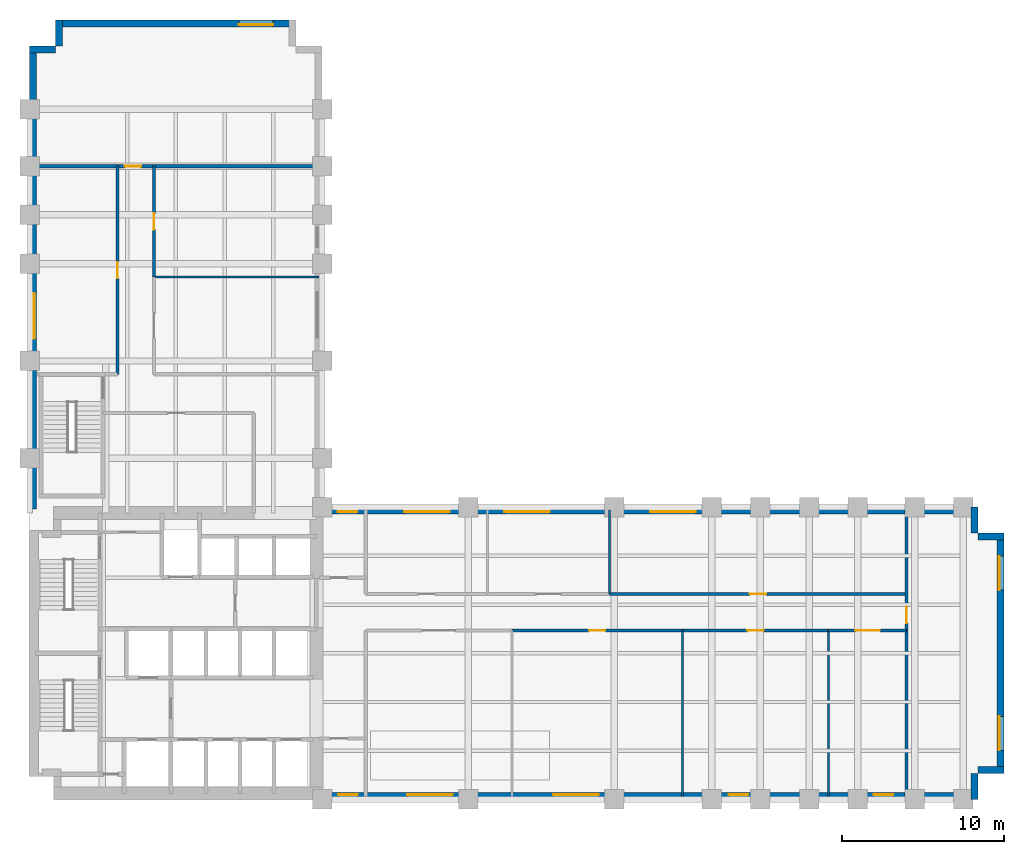
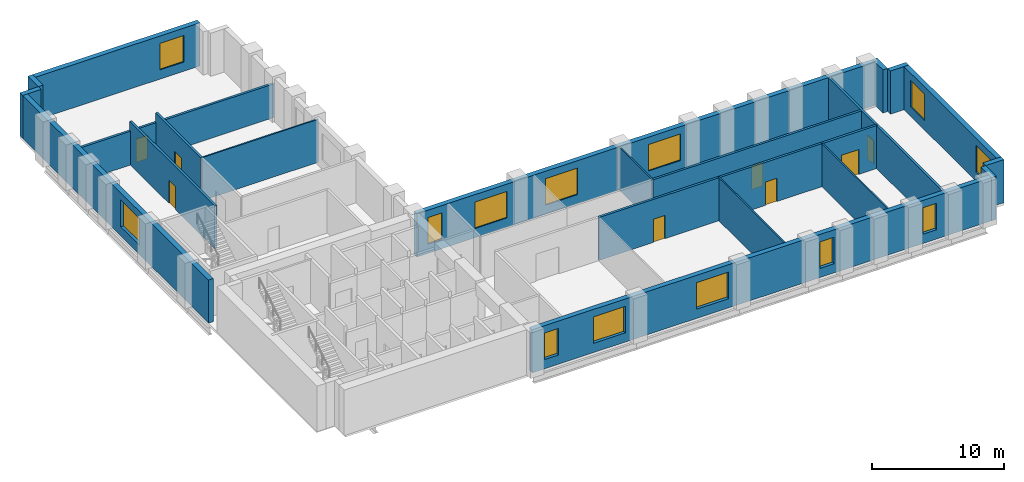
# One storey, part 5 of 7: 23 walls, 13 windows, 8 doors, 21 openings.
"""IFC4 building model written with IfcOpenShell, lengths in metres."""

from ifc_helpers import new_model, si_unit, direction, frame, frame_2d, origin, place, context, subcontext, project, spatial, rectangle, extrude, material, layer, layer_set, type_object, element, fill, save


model = new_model("IFC4")

# Units and contexts
model_context = context("Model", 3, precision=1e-05, world=origin(), true_north=direction((0.0, 1.0)))
body_context = subcontext(model_context, "Body", "Model", "MODEL_VIEW")
ifc_project = project(units=[si_unit("LENGTHUNIT", "METRE"), si_unit("AREAUNIT", "SQUARE_METRE"), si_unit("VOLUMEUNIT", "CUBIC_METRE"), si_unit("PLANEANGLEUNIT", "RADIAN"), si_unit("MASSUNIT", "GRAM", prefix="KILO")], contexts=[model_context])

# Site, building, storey
site_placement = place(None, origin())
site = spatial("IfcSite", under=ifc_project, at=site_placement, CompositionType="ELEMENT")
building_placement = place(site_placement, origin())
building = spatial("IfcBuilding", under=site, at=building_placement, Name="Mawjdan Bourse Tower", CompositionType="ELEMENT")
storey_placement = place(building_placement, frame((0.0, 0.0, 42.60009765625)))
storey = spatial("IfcBuildingStorey", under=building, at=storey_placement, Name="L09", CompositionType="ELEMENT", Elevation=42.60009765625)

# Wall, openings, windows
ifc_material_1 = material(Name="Brick Masonry Buff", Category="masonry")
ifc_layer_1 = layer(ifc_material_1, 0.419921875)
ifc_layer_set_1 = layer_set([ifc_layer_1], Name="Brick Masonry Buff")
wall_type_1 = type_object("IfcWallType", Name="WL-BRK-BUFF-420", PredefinedType="STANDARD", material=ifc_layer_set_1)
wall_1_placement = place(storey_placement, frame((23.89990234375, 3.2099609375, 0.0), z_axis=(0.0, 0.0, 1.0), x_axis=(1.0, 0.0, 0.0)))
wall_1 = element("IfcWall", 1, at=wall_1_placement, inside=storey, type_object=wall_type_1, Name="L09 Exterior Brick Wall 1", PredefinedType="STANDARD", context=body_context, shape_type="SweptSolid", body=[
    extrude(rectangle(XDim=40.5, YDim=0.419921875, at=frame_2d((20.25, 0.0))), origin(), (0.0, 0.0, 1.0), 3.97998046875),
])
opening_1_placement = place(wall_1_placement, frame((1.10009765625, 0.0, 0.85009765625)))
opening_1 = element("IfcOpeningElement", 2, at=opening_1_placement, cuts=wall_1, Name="Opening W-L09-07", PredefinedType="OPENING", context=body_context, shape_type="SweptSolid", body=[
    extrude(rectangle(XDim=1.199951171875, YDim=2.449951171875, at=frame_2d((0.60009765625, 1.22509765625))), frame((0.0, 0.219970703125, 0.0), z_axis=(0.0, -1.0, 0.0), x_axis=(1.0, 0.0, 0.0)), (0.0, 0.0, 1.0), 0.43994140625),
])
opening_2_placement = place(wall_1_placement, frame((5.336181640625, 0.0, 0.85009765625)))
opening_2 = element("IfcOpeningElement", 3, at=opening_2_placement, cuts=wall_1, Name="Opening W-L09-09", PredefinedType="OPENING", context=body_context, shape_type="SweptSolid", body=[
    extrude(rectangle(XDim=2.800048828125, YDim=2.449951171875, at=frame_2d((1.39990234375, 1.22509765625))), frame((0.0, 0.219970703125, 0.0), z_axis=(0.0, -1.0, 0.0), x_axis=(1.0, 0.0, 0.0)), (0.0, 0.0, 1.0), 0.43994140625),
])
opening_3_placement = place(wall_1_placement, frame((14.336181640625, 0.0, 0.85009765625)))
opening_3 = element("IfcOpeningElement", 4, at=opening_3_placement, cuts=wall_1, Name="Opening W-L09-10", PredefinedType="OPENING", context=body_context, shape_type="SweptSolid", body=[
    extrude(rectangle(XDim=2.800048828125, YDim=2.449951171875, at=frame_2d((1.39990234375, 1.22509765625))), frame((0.0, 0.219970703125, 0.0), z_axis=(0.0, -1.0, 0.0), x_axis=(1.0, 0.0, 0.0)), (0.0, 0.0, 1.0), 0.43994140625),
])
opening_4_placement = place(wall_1_placement, frame((25.13623046875, 0.0, 0.85009765625)))
opening_4 = element("IfcOpeningElement", 5, at=opening_4_placement, cuts=wall_1, Name="Opening W-L09-11", PredefinedType="OPENING", context=body_context, shape_type="SweptSolid", body=[
    extrude(rectangle(XDim=1.199951171875, YDim=2.449951171875, at=frame_2d((0.60009765625, 1.22509765625))), frame((0.0, 0.219970703125, 0.0), z_axis=(0.0, -1.0, 0.0), x_axis=(1.0, 0.0, 0.0)), (0.0, 0.0, 1.0), 0.43994140625),
])
opening_5_placement = place(wall_1_placement, frame((34.086181640625, 0.0, 0.85009765625)))
opening_5 = element("IfcOpeningElement", 6, at=opening_5_placement, cuts=wall_1, Name="Opening W-L09-12", PredefinedType="OPENING", context=body_context, shape_type="SweptSolid", body=[
    extrude(rectangle(XDim=1.199951171875, YDim=2.449951171875, at=frame_2d((0.60009765625, 1.22509765625))), frame((0.0, 0.219970703125, 0.0), z_axis=(0.0, -1.0, 0.0), x_axis=(1.0, 0.0, 0.0)), (0.0, 0.0, 1.0), 0.43994140625),
])
ifc_material_2 = material(Name="Solar-Control Clear Double Glazing", Category="glass")
window_type_1 = type_object("IfcWindowType", Name="WN-TRD-1200", PartitioningType="SINGLE_PANEL", PredefinedType="WINDOW", material=ifc_material_2)
window_1_placement = place(opening_1_placement, origin())
window_1 = element("IfcWindow", 7, at=window_1_placement, inside=storey, type_object=window_type_1, Name="L09 Deep-Set Masonry Window W-L09-07", OverallHeight=2.449951171875, OverallWidth=1.199951171875, PartitioningType="SINGLE_PANEL", PredefinedType="WINDOW", context=body_context, shape_type="SweptSolid", body=[
    extrude(rectangle(XDim=1.199951171875, YDim=2.449951171875, at=frame_2d((0.60009765625, 1.22509765625))), frame((0.0, 0.110107421875, 0.0), z_axis=(0.0, -1.0, 0.0), x_axis=(1.0, 0.0, 0.0)), (0.0, 0.0, 1.0), 0.06005859375),
])
fill(opening_1, window_1)
window_2_placement = place(opening_4_placement, origin())
window_2 = element("IfcWindow", 8, at=window_2_placement, inside=storey, type_object=window_type_1, Name="L09 Deep-Set Masonry Window W-L09-11", OverallHeight=2.449951171875, OverallWidth=1.199951171875, PartitioningType="SINGLE_PANEL", PredefinedType="WINDOW", context=body_context, shape_type="SweptSolid", body=[
    extrude(rectangle(XDim=1.199951171875, YDim=2.449951171875, at=frame_2d((0.60009765625, 1.22509765625))), frame((0.0, 0.110107421875, 0.0), z_axis=(0.0, -1.0, 0.0), x_axis=(1.0, 0.0, 0.0)), (0.0, 0.0, 1.0), 0.06005859375),
])
fill(opening_4, window_2)
window_3_placement = place(opening_5_placement, origin())
window_3 = element("IfcWindow", 9, at=window_3_placement, inside=storey, type_object=window_type_1, Name="L09 Deep-Set Masonry Window W-L09-12", OverallHeight=2.449951171875, OverallWidth=1.199951171875, PartitioningType="SINGLE_PANEL", PredefinedType="WINDOW", context=body_context, shape_type="SweptSolid", body=[
    extrude(rectangle(XDim=1.199951171875, YDim=2.449951171875, at=frame_2d((0.60009765625, 1.22509765625))), frame((0.0, 0.110107421875, 0.0), z_axis=(0.0, -1.0, 0.0), x_axis=(1.0, 0.0, 0.0)), (0.0, 0.0, 1.0), 0.06005859375),
])
fill(opening_5, window_3)
window_type_2 = type_object("IfcWindowType", Name="WN-TRD-2800", PartitioningType="SINGLE_PANEL", PredefinedType="WINDOW", material=ifc_material_2)
window_4_placement = place(opening_2_placement, origin())
window_4 = element("IfcWindow", 10, at=window_4_placement, inside=storey, type_object=window_type_2, Name="L09 Deep-Set Masonry Window W-L09-09", OverallHeight=2.449951171875, OverallWidth=2.800048828125, PartitioningType="SINGLE_PANEL", PredefinedType="WINDOW", context=body_context, shape_type="SweptSolid", body=[
    extrude(rectangle(XDim=2.800048828125, YDim=2.449951171875, at=frame_2d((1.39990234375, 1.22509765625))), frame((0.0, 0.110107421875, 0.0), z_axis=(0.0, -1.0, 0.0), x_axis=(1.0, 0.0, 0.0)), (0.0, 0.0, 1.0), 0.06005859375),
])
fill(opening_2, window_4)
window_5_placement = place(opening_3_placement, origin())
window_5 = element("IfcWindow", 11, at=window_5_placement, inside=storey, type_object=window_type_2, Name="L09 Deep-Set Masonry Window W-L09-10", OverallHeight=2.449951171875, OverallWidth=2.800048828125, PartitioningType="SINGLE_PANEL", PredefinedType="WINDOW", context=body_context, shape_type="SweptSolid", body=[
    extrude(rectangle(XDim=2.800048828125, YDim=2.449951171875, at=frame_2d((1.39990234375, 1.22509765625))), frame((0.0, 0.110107421875, 0.0), z_axis=(0.0, -1.0, 0.0), x_axis=(1.0, 0.0, 0.0)), (0.0, 0.0, 1.0), 0.06005859375),
])
fill(opening_3, window_5)

# Walls
for number, where, z_axis, x_axis, name in (
    (12, (64.18994140625, 3.0, 0.0), (0.0, 0.0, 1.0), (0.0, 1.0, 0.0), "L09 Exterior Brick Wall 2"),
    (13, (64.39990234375, 4.81005859375, 0.0), (0.0, 0.0, 1.0), (1.0, 0.0, 0.0), "L09 Exterior Brick Wall 3"),
):
    element("IfcWall", number, at=place(storey_placement, frame(where, z_axis=z_axis, x_axis=x_axis)), inside=storey, type_object=wall_type_1, Name=name, PredefinedType="STANDARD", context=body_context, shape_type="SweptSolid", body=[
        extrude(rectangle(XDim=1.60009765625, YDim=0.419921875, at=frame_2d((0.800048828125, 0.0))), origin(), (0.0, 0.0, 1.0), 3.97998046875),
    ])

# Wall, openings, windows
wall_2_placement = place(storey_placement, frame((65.7900390625, 4.60009765625, 0.0), z_axis=(0.0, 0.0, 1.0), x_axis=(0.0, 1.0, 0.0)))
wall_2 = element("IfcWall", 14, at=wall_2_placement, inside=storey, type_object=wall_type_1, Name="L09 Exterior Brick Wall 4", PredefinedType="STANDARD", context=body_context, shape_type="SweptSolid", body=[
    extrude(rectangle(XDim=14.7998046875, YDim=0.419921875, at=frame_2d((7.39990234375, 0.0))), origin(), (0.0, 0.0, 1.0), 3.97998046875),
])
opening_6_placement = place(wall_2_placement, frame((1.416748046875, 0.0, 0.85009765625)))
opening_6 = element("IfcOpeningElement", 15, at=opening_6_placement, cuts=wall_2, Name="Opening W-L09-01", PredefinedType="OPENING", context=body_context, shape_type="SweptSolid", body=[
    extrude(rectangle(XDim=2.10009765625, YDim=2.449951171875, at=frame_2d((1.050048828125, 1.22509765625))), frame((0.0, 0.219970703125, 0.0), z_axis=(0.0, -1.0, 0.0), x_axis=(1.0, 0.0, 0.0)), (0.0, 0.0, 1.0), 0.43994140625),
])
opening_7_placement = place(wall_2_placement, frame((11.283203125, 0.0, 0.85009765625)))
opening_7 = element("IfcOpeningElement", 16, at=opening_7_placement, cuts=wall_2, Name="Opening W-L09-02", PredefinedType="OPENING", context=body_context, shape_type="SweptSolid", body=[
    extrude(rectangle(XDim=2.10009765625, YDim=2.449951171875, at=frame_2d((1.050048828125, 1.22509765625))), frame((0.0, 0.219970703125, 0.0), z_axis=(0.0, -1.0, 0.0), x_axis=(1.0, 0.0, 0.0)), (0.0, 0.0, 1.0), 0.43994140625),
])
window_type_3 = type_object("IfcWindowType", Name="WN-TRD-2100", PartitioningType="SINGLE_PANEL", PredefinedType="WINDOW", material=ifc_material_2)
window_6_placement = place(opening_6_placement, origin())
window_6 = element("IfcWindow", 17, at=window_6_placement, inside=storey, type_object=window_type_3, Name="L09 Deep-Set Masonry Window W-L09-01", OverallHeight=2.449951171875, OverallWidth=2.10009765625, PartitioningType="SINGLE_PANEL", PredefinedType="WINDOW", context=body_context, shape_type="SweptSolid", body=[
    extrude(rectangle(XDim=2.10009765625, YDim=2.449951171875, at=frame_2d((1.050048828125, 1.22509765625))), frame((0.0, 0.110107421875, 0.0), z_axis=(0.0, -1.0, 0.0), x_axis=(1.0, 0.0, 0.0)), (0.0, 0.0, 1.0), 0.06005859375),
])
fill(opening_6, window_6)
window_7_placement = place(opening_7_placement, origin())
window_7 = element("IfcWindow", 18, at=window_7_placement, inside=storey, type_object=window_type_3, Name="L09 Deep-Set Masonry Window W-L09-02", OverallHeight=2.449951171875, OverallWidth=2.10009765625, PartitioningType="SINGLE_PANEL", PredefinedType="WINDOW", context=body_context, shape_type="SweptSolid", body=[
    extrude(rectangle(XDim=2.10009765625, YDim=2.449951171875, at=frame_2d((1.050048828125, 1.22509765625))), frame((0.0, 0.110107421875, 0.0), z_axis=(0.0, -1.0, 0.0), x_axis=(1.0, 0.0, 0.0)), (0.0, 0.0, 1.0), 0.06005859375),
])
fill(opening_7, window_7)

# Walls
for number, where, z_axis, x_axis, name in (
    (19, (66.0, 19.18994140625, 0.0), (0.0, 0.0, 1.0), (-1.0, 0.0, 0.0), "L09 Exterior Brick Wall 5"),
    (20, (64.18994140625, 19.39990234375, 0.0), (0.0, 0.0, 1.0), (0.0, 1.0, 0.0), "L09 Exterior Brick Wall 6"),
):
    element("IfcWall", number, at=place(storey_placement, frame(where, z_axis=z_axis, x_axis=x_axis)), inside=storey, type_object=wall_type_1, Name=name, PredefinedType="STANDARD", context=body_context, shape_type="SweptSolid", body=[
        extrude(rectangle(XDim=1.60009765625, YDim=0.419921875, at=frame_2d((0.800048828125, 0.0))), origin(), (0.0, 0.0, 1.0), 3.97998046875),
    ])

# Wall, openings, windows
wall_3_placement = place(storey_placement, frame((64.39990234375, 20.7900390625, 0.0), z_axis=(0.0, 0.0, 1.0), x_axis=(-1.0, 0.0, 0.0)))
wall_3 = element("IfcWall", 21, at=wall_3_placement, inside=storey, type_object=wall_type_1, Name="L09 Exterior Brick Wall 7", PredefinedType="STANDARD", context=body_context, shape_type="SweptSolid", body=[
    extrude(rectangle(XDim=40.39990234375, YDim=0.419921875, at=frame_2d((20.199951171875, 0.0))), origin(), (0.0, 0.0, 1.0), 3.97998046875),
])
opening_8_placement = place(wall_3_placement, frame((26.375, 0.0, 0.85009765625)))
opening_8 = element("IfcOpeningElement", 22, at=opening_8_placement, cuts=wall_3, Name="Opening W-L09-03", PredefinedType="OPENING", context=body_context, shape_type="SweptSolid", body=[
    extrude(rectangle(XDim=2.800048828125, YDim=2.449951171875, at=frame_2d((1.39990234375, 1.22509765625))), frame((0.0, 0.219970703125, 0.0), z_axis=(0.0, -1.0, 0.0), x_axis=(1.0, 0.0, 0.0)), (0.0, 0.0, 1.0), 0.43994140625),
])
opening_9_placement = place(wall_3_placement, frame((38.22216796875, 0.0, 0.85009765625)))
opening_9 = element("IfcOpeningElement", 23, at=opening_9_placement, cuts=wall_3, Name="Opening W-L09-08", PredefinedType="OPENING", context=body_context, shape_type="SweptSolid", body=[
    extrude(rectangle(XDim=1.199951171875, YDim=2.449951171875, at=frame_2d((0.60009765625, 1.22509765625))), frame((0.0, 0.219970703125, 0.0), z_axis=(0.0, -1.0, 0.0), x_axis=(1.0, 0.0, 0.0)), (0.0, 0.0, 1.0), 0.43994140625),
])
opening_10_placement = place(wall_3_placement, frame((32.5361328125, 0.0, 0.85009765625)))
opening_10 = element("IfcOpeningElement", 24, at=opening_10_placement, cuts=wall_3, Name="Opening W-L09-13", PredefinedType="OPENING", context=body_context, shape_type="SweptSolid", body=[
    extrude(rectangle(XDim=2.800048828125, YDim=2.449951171875, at=frame_2d((1.39990234375, 1.22509765625))), frame((0.0, 0.219970703125, 0.0), z_axis=(0.0, -1.0, 0.0), x_axis=(1.0, 0.0, 0.0)), (0.0, 0.0, 1.0), 0.43994140625),
])
opening_11_placement = place(wall_3_placement, frame((17.38623046875, 0.0, 0.85009765625)))
opening_11 = element("IfcOpeningElement", 25, at=opening_11_placement, cuts=wall_3, Name="Opening W-L09-14", PredefinedType="OPENING", context=body_context, shape_type="SweptSolid", body=[
    extrude(rectangle(XDim=2.800048828125, YDim=2.449951171875, at=frame_2d((1.39990234375, 1.22509765625))), frame((0.0, 0.219970703125, 0.0), z_axis=(0.0, -1.0, 0.0), x_axis=(1.0, 0.0, 0.0)), (0.0, 0.0, 1.0), 0.43994140625),
])
window_8_placement = place(opening_9_placement, origin())
window_8 = element("IfcWindow", 26, at=window_8_placement, inside=storey, type_object=window_type_1, Name="L09 Deep-Set Masonry Window W-L09-08", OverallHeight=2.449951171875, OverallWidth=1.199951171875, PartitioningType="SINGLE_PANEL", PredefinedType="WINDOW", context=body_context, shape_type="SweptSolid", body=[
    extrude(rectangle(XDim=1.199951171875, YDim=2.449951171875, at=frame_2d((0.60009765625, 1.22509765625))), frame((0.0, 0.110107421875, 0.0), z_axis=(0.0, -1.0, 0.0), x_axis=(1.0, 0.0, 0.0)), (0.0, 0.0, 1.0), 0.06005859375),
])
fill(opening_9, window_8)
window_9_placement = place(opening_8_placement, origin())
window_9 = element("IfcWindow", 27, at=window_9_placement, inside=storey, type_object=window_type_2, Name="L09 Deep-Set Masonry Window W-L09-03", OverallHeight=2.449951171875, OverallWidth=2.800048828125, PartitioningType="SINGLE_PANEL", PredefinedType="WINDOW", context=body_context, shape_type="SweptSolid", body=[
    extrude(rectangle(XDim=2.800048828125, YDim=2.449951171875, at=frame_2d((1.39990234375, 1.22509765625))), frame((0.0, 0.110107421875, 0.0), z_axis=(0.0, -1.0, 0.0), x_axis=(1.0, 0.0, 0.0)), (0.0, 0.0, 1.0), 0.06005859375),
])
fill(opening_8, window_9)
window_10_placement = place(opening_10_placement, origin())
window_10 = element("IfcWindow", 28, at=window_10_placement, inside=storey, type_object=window_type_2, Name="L09 Deep-Set Masonry Window W-L09-13", OverallHeight=2.449951171875, OverallWidth=2.800048828125, PartitioningType="SINGLE_PANEL", PredefinedType="WINDOW", context=body_context, shape_type="SweptSolid", body=[
    extrude(rectangle(XDim=2.800048828125, YDim=2.449951171875, at=frame_2d((1.39990234375, 1.22509765625))), frame((0.0, 0.110107421875, 0.0), z_axis=(0.0, -1.0, 0.0), x_axis=(1.0, 0.0, 0.0)), (0.0, 0.0, 1.0), 0.06005859375),
])
fill(opening_10, window_10)
window_11_placement = place(opening_11_placement, origin())
window_11 = element("IfcWindow", 29, at=window_11_placement, inside=storey, type_object=window_type_2, Name="L09 Deep-Set Masonry Window W-L09-14", OverallHeight=2.449951171875, OverallWidth=2.800048828125, PartitioningType="SINGLE_PANEL", PredefinedType="WINDOW", context=body_context, shape_type="SweptSolid", body=[
    extrude(rectangle(XDim=2.800048828125, YDim=2.449951171875, at=frame_2d((1.39990234375, 1.22509765625))), frame((0.0, 0.110107421875, 0.0), z_axis=(0.0, -1.0, 0.0), x_axis=(1.0, 0.0, 0.0)), (0.0, 0.0, 1.0), 0.06005859375),
])
fill(opening_11, window_11)

# Wall, opening, window
wall_4_placement = place(storey_placement, frame((22.39990234375, 50.7900390625, 0.0), z_axis=(0.0, 0.0, 1.0), x_axis=(-1.0, 0.0, 0.0)))
wall_4 = element("IfcWall", 30, at=wall_4_placement, inside=storey, type_object=wall_type_1, Name="L09 Exterior Brick Wall 11", PredefinedType="STANDARD", context=body_context, shape_type="SweptSolid", body=[
    extrude(rectangle(XDim=14.7998046875, YDim=0.419921875, at=frame_2d((7.39990234375, 0.0))), origin(), (0.0, 0.0, 1.0), 3.97998046875),
])
opening_12_placement = place(wall_4_placement, frame((1.416748046875, 0.0, 0.85009765625)))
opening_12 = element("IfcOpeningElement", 31, at=opening_12_placement, cuts=wall_4, Name="Opening W-L09-05", PredefinedType="OPENING", context=body_context, shape_type="SweptSolid", body=[
    extrude(rectangle(XDim=2.10009765625, YDim=2.449951171875, at=frame_2d((1.050048828125, 1.22509765625))), frame((0.0, 0.219970703125, 0.0), z_axis=(0.0, -1.0, 0.0), x_axis=(1.0, 0.0, 0.0)), (0.0, 0.0, 1.0), 0.43994140625),
])
window_12_placement = place(opening_12_placement, origin())
window_12 = element("IfcWindow", 32, at=window_12_placement, inside=storey, type_object=window_type_3, Name="L09 Deep-Set Masonry Window W-L09-05", OverallHeight=2.449951171875, OverallWidth=2.10009765625, PartitioningType="SINGLE_PANEL", PredefinedType="WINDOW", context=body_context, shape_type="SweptSolid", body=[
    extrude(rectangle(XDim=2.10009765625, YDim=2.449951171875, at=frame_2d((1.050048828125, 1.22509765625))), frame((0.0, 0.110107421875, 0.0), z_axis=(0.0, -1.0, 0.0), x_axis=(1.0, 0.0, 0.0)), (0.0, 0.0, 1.0), 0.06005859375),
])
fill(opening_12, window_12)

# Walls
for number, where, z_axis, x_axis, name in (
    (33, (7.81005859375, 51.0, 0.0), (0.0, 0.0, 1.0), (0.0, -1.0, 0.0), "L09 Exterior Brick Wall 12"),
    (34, (7.60009765625, 49.18994140625, 0.0), (0.0, 0.0, 1.0), (-1.0, 0.0, 0.0), "L09 Exterior Brick Wall 13"),
):
    element("IfcWall", number, at=place(storey_placement, frame(where, z_axis=z_axis, x_axis=x_axis)), inside=storey, type_object=wall_type_1, Name=name, PredefinedType="STANDARD", context=body_context, shape_type="SweptSolid", body=[
        extrude(rectangle(XDim=1.60009765625, YDim=0.419921875, at=frame_2d((0.800048828125, 0.0))), origin(), (0.0, 0.0, 1.0), 3.97998046875),
    ])

# Wall, opening, window
wall_5_placement = place(storey_placement, frame((6.2099609375, 49.39990234375, 0.0), z_axis=(0.0, 0.0, 1.0), x_axis=(0.0, -1.0, 0.0)))
wall_5 = element("IfcWall", 35, at=wall_5_placement, inside=storey, type_object=wall_type_1, Name="L09 Exterior Brick Wall 14", PredefinedType="STANDARD", context=body_context, shape_type="SweptSolid", body=[
    extrude(rectangle(XDim=28.5, YDim=0.419921875, at=frame_2d((14.25, 0.0))), origin(), (0.0, 0.0, 1.0), 3.97998046875),
])
opening_13_placement = place(wall_5_placement, frame((15.22509765625, 0.0, 0.85009765625)))
opening_13 = element("IfcOpeningElement", 36, at=opening_13_placement, cuts=wall_5, Name="Opening W-L09-06", PredefinedType="OPENING", context=body_context, shape_type="SweptSolid", body=[
    extrude(rectangle(XDim=2.800048828125, YDim=2.449951171875, at=frame_2d((1.39990234375, 1.22509765625))), frame((0.0, 0.219970703125, 0.0), z_axis=(0.0, -1.0, 0.0), x_axis=(1.0, 0.0, 0.0)), (0.0, 0.0, 1.0), 0.43994140625),
])
window_13_placement = place(opening_13_placement, origin())
window_13 = element("IfcWindow", 37, at=window_13_placement, inside=storey, type_object=window_type_2, Name="L09 Deep-Set Masonry Window W-L09-06", OverallHeight=2.449951171875, OverallWidth=2.800048828125, PartitioningType="SINGLE_PANEL", PredefinedType="WINDOW", context=body_context, shape_type="SweptSolid", body=[
    extrude(rectangle(XDim=2.800048828125, YDim=2.449951171875, at=frame_2d((1.39990234375, 1.22509765625))), frame((0.0, 0.110107421875, 0.0), z_axis=(0.0, -1.0, 0.0), x_axis=(1.0, 0.0, 0.0)), (0.0, 0.0, 1.0), 0.06005859375),
])
fill(opening_13, window_13)

# Wall, opening, door
ifc_material_3 = material(Name="Gypsum Fireboard Assembly")
ifc_layer_2 = layer(ifc_material_3, 0.199951171875)
ifc_layer_set_2 = layer_set([ifc_layer_2], Name="Gypsum Fireboard Assembly")
wall_type_2 = type_object("IfcWallType", Name="WL-CMP-200", PredefinedType="PARTITIONING", material=ifc_layer_set_2)
wall_6_placement = place(storey_placement, frame((35.699951171875, 13.39990234375, 0.0), z_axis=(0.0, 0.0, 1.0), x_axis=(1.0, 0.0, 0.0)))
wall_6 = element("IfcWall", 38, at=wall_6_placement, inside=storey, type_object=wall_type_2, Name="L09 Equities Research Library Corridor Wall", PredefinedType="PARTITIONING", context=body_context, shape_type="SweptSolid", body=[
    extrude(rectangle(XDim=10.5, YDim=0.199951171875, at=frame_2d((5.25, 0.0))), origin(), (0.0, 0.0, 1.0), 3.969970703125),
])
opening_14_placement = place(wall_6_placement, frame((4.75, 0.0, 0.0)))
opening_14 = element("IfcOpeningElement", 39, at=opening_14_placement, cuts=wall_6, Name="Opening D-L09-20", PredefinedType="OPENING", context=body_context, shape_type="SweptSolid", body=[
    extrude(rectangle(XDim=1.0, YDim=2.14990234375, at=frame_2d((0.5, 1.074951171875))), frame((0.0, 0.10986328125, 0.0), z_axis=(0.0, -1.0, 0.0), x_axis=(1.0, 0.0, 0.0)), (0.0, 0.0, 1.0), 0.219970703125),
])
ifc_material_4 = material(Name="Hardwood Acoustic Leaf", Category="wood")
door_type_1 = type_object("IfcDoorType", Name="DR-OFC-1000", OperationType="NOTDEFINED", PredefinedType="DOOR", material=ifc_material_4)
door_1_placement = place(opening_14_placement, origin())
door_1 = element("IfcDoor", 40, at=door_1_placement, inside=storey, type_object=door_type_1, Name="L09 Equities Research Library Door D-L09-20", OperationType="SINGLE_SWING_LEFT", OverallHeight=2.14990234375, OverallWidth=1.0, PredefinedType="DOOR", context=body_context, shape_type="SweptSolid", body=[
    extrude(rectangle(XDim=1.0, YDim=2.14990234375, at=frame_2d((0.5, 1.074951171875))), frame((0.0, 0.02490234375, 0.0), z_axis=(0.0, -1.0, 0.0), x_axis=(1.0, 0.0, 0.0)), (0.0, 0.0, 1.0), 0.050048828125),
])
fill(opening_14, door_1)

wall_7_placement = place(storey_placement, frame((46.199951171875, 13.39990234375, 0.0), z_axis=(0.0, 0.0, 1.0), x_axis=(1.0, 0.0, 0.0)))
wall_7 = element("IfcWall", 41, at=wall_7_placement, inside=storey, type_object=wall_type_2, Name="L09 Brokerage Suite Corridor Wall", PredefinedType="PARTITIONING", context=body_context, shape_type="SweptSolid", body=[
    extrude(rectangle(XDim=9.0, YDim=0.199951171875, at=frame_2d((4.5, 0.0))), origin(), (0.0, 0.0, 1.0), 3.969970703125),
])
opening_15_placement = place(wall_7_placement, frame((4.0, 0.0, 0.0)))
opening_15 = element("IfcOpeningElement", 42, at=opening_15_placement, cuts=wall_7, Name="Opening D-L09-21", PredefinedType="OPENING", context=body_context, shape_type="SweptSolid", body=[
    extrude(rectangle(XDim=1.0, YDim=2.14990234375, at=frame_2d((0.5, 1.074951171875))), frame((0.0, 0.10986328125, 0.0), z_axis=(0.0, -1.0, 0.0), x_axis=(1.0, 0.0, 0.0)), (0.0, 0.0, 1.0), 0.219970703125),
])
door_2_placement = place(opening_15_placement, origin())
door_2 = element("IfcDoor", 43, at=door_2_placement, inside=storey, type_object=door_type_1, Name="L09 Brokerage Suite Door D-L09-21", OperationType="SINGLE_SWING_RIGHT", OverallHeight=2.14990234375, OverallWidth=1.0, PredefinedType="DOOR", context=body_context, shape_type="SweptSolid", body=[
    extrude(rectangle(XDim=1.0, YDim=2.14990234375, at=frame_2d((0.5, 1.074951171875))), frame((0.0, 0.02490234375, 0.0), z_axis=(0.0, -1.0, 0.0), x_axis=(1.0, 0.0, 0.0)), (0.0, 0.0, 1.0), 0.050048828125),
])
fill(opening_15, door_2)

wall_8_placement = place(storey_placement, frame((55.199951171875, 13.39990234375, 0.0), z_axis=(0.0, 0.0, 1.0), x_axis=(1.0, 0.0, 0.0)))
wall_8 = element("IfcWall", 44, at=wall_8_placement, inside=storey, type_object=wall_type_2, Name="L09 Conference Room Corridor Wall", PredefinedType="PARTITIONING", context=body_context, shape_type="SweptSolid", body=[
    extrude(rectangle(XDim=4.800048828125, YDim=0.199951171875, at=frame_2d((2.39990234375, 0.0))), origin(), (0.0, 0.0, 1.0), 3.969970703125),
])
opening_16_placement = place(wall_8_placement, frame((1.64990234375, 0.0, 0.0)))
opening_16 = element("IfcOpeningElement", 45, at=opening_16_placement, cuts=wall_8, Name="Opening D-L09-22", PredefinedType="OPENING", context=body_context, shape_type="SweptSolid", body=[
    extrude(rectangle(XDim=1.5, YDim=2.300048828125, at=frame_2d((0.75, 1.14990234375))), frame((0.0, 0.10986328125, 0.0), z_axis=(0.0, -1.0, 0.0), x_axis=(1.0, 0.0, 0.0)), (0.0, 0.0, 1.0), 0.219970703125),
])
ifc_material_5 = material(Name="Acoustic Glazed Timber", Category="wood")
door_type_2 = type_object("IfcDoorType", Name="DR-CNF-1500", OperationType="DOUBLE_DOOR_SINGLE_SWING", PredefinedType="DOOR", material=ifc_material_5)
door_3_placement = place(opening_16_placement, origin())
door_3 = element("IfcDoor", 46, at=door_3_placement, inside=storey, type_object=door_type_2, Name="L09 Conference Room Door D-L09-22", OperationType="DOUBLE_DOOR_SINGLE_SWING", OverallHeight=2.300048828125, OverallWidth=1.5, PredefinedType="DOOR", context=body_context, shape_type="SweptSolid", body=[
    extrude(rectangle(XDim=1.5, YDim=2.300048828125, at=frame_2d((0.75, 1.14990234375))), frame((0.0, 0.02490234375, 0.0), z_axis=(0.0, -1.0, 0.0), x_axis=(1.0, 0.0, 0.0)), (0.0, 0.0, 1.0), 0.050048828125),
])
fill(opening_16, door_3)

wall_9_placement = place(storey_placement, frame((41.699951171875, 15.64990234375, 0.0), z_axis=(0.0, 0.0, 1.0), x_axis=(1.0, 0.0, 0.0)))
wall_9 = element("IfcWall", 47, at=wall_9_placement, inside=storey, type_object=wall_type_2, Name="L09 Executive Office Corridor Wall", PredefinedType="PARTITIONING", context=body_context, shape_type="SweptSolid", body=[
    extrude(rectangle(XDim=18.300048828125, YDim=0.199951171875, at=frame_2d((9.14990234375, 0.0))), origin(), (0.0, 0.0, 1.0), 3.969970703125),
])
opening_17_placement = place(wall_9_placement, frame((8.64990234375, 0.0, 0.0)))
opening_17 = element("IfcOpeningElement", 48, at=opening_17_placement, cuts=wall_9, Name="Opening D-L09-25", PredefinedType="OPENING", context=body_context, shape_type="SweptSolid", body=[
    extrude(rectangle(XDim=1.0, YDim=2.14990234375, at=frame_2d((0.5, 1.074951171875))), frame((0.0, 0.10986328125, 0.0), z_axis=(0.0, -1.0, 0.0), x_axis=(1.0, 0.0, 0.0)), (0.0, 0.0, 1.0), 0.219970703125),
])
door_4_placement = place(opening_17_placement, origin())
door_4 = element("IfcDoor", 49, at=door_4_placement, inside=storey, type_object=door_type_1, Name="L09 Executive Office Door D-L09-25", OperationType="SINGLE_SWING_RIGHT", OverallHeight=2.14990234375, OverallWidth=1.0, PredefinedType="DOOR", context=body_context, shape_type="SweptSolid", body=[
    extrude(rectangle(XDim=1.0, YDim=2.14990234375, at=frame_2d((0.5, 1.074951171875))), frame((0.0, 0.02490234375, 0.0), z_axis=(0.0, -1.0, 0.0), x_axis=(1.0, 0.0, 0.0)), (0.0, 0.0, 1.0), 0.050048828125),
])
fill(opening_17, door_4)

wall_10_placement = place(storey_placement, frame((60.0, 3.179931640625, 0.0), z_axis=(0.0, 0.0, 1.0), x_axis=(0.0, 1.0, 0.0)))
wall_10 = element("IfcWall", 50, at=wall_10_placement, inside=storey, type_object=wall_type_2, Name="L09 East Tip Full Cross Wall", PredefinedType="PARTITIONING", context=body_context, shape_type="SweptSolid", body=[
    extrude(rectangle(XDim=17.64013671875, YDim=0.199951171875, at=frame_2d((8.820068359375, 0.0))), origin(), (0.0, 0.0, 1.0), 3.969970703125),
])
opening_18_placement = place(wall_10_placement, frame((10.675048828125, 0.0, 0.0)))
opening_18 = element("IfcOpeningElement", 51, at=opening_18_placement, cuts=wall_10, Name="Opening D-L09-26", PredefinedType="OPENING", context=body_context, shape_type="SweptSolid", body=[
    extrude(rectangle(XDim=1.0, YDim=2.14990234375, at=frame_2d((0.5, 1.074951171875))), frame((0.0, 0.10986328125, 0.0), z_axis=(0.0, -1.0, 0.0), x_axis=(1.0, 0.0, 0.0)), (0.0, 0.0, 1.0), 0.219970703125),
])
door_5_placement = place(opening_18_placement, origin())
door_5 = element("IfcDoor", 52, at=door_5_placement, inside=storey, type_object=door_type_1, Name="L09 East Tip Hall Door D-L09-26", OperationType="SINGLE_SWING_LEFT", OverallHeight=2.14990234375, OverallWidth=1.0, PredefinedType="DOOR", context=body_context, shape_type="SweptSolid", body=[
    extrude(rectangle(XDim=1.0, YDim=2.14990234375, at=frame_2d((0.5, 1.074951171875))), frame((0.0, 0.02490234375, 0.0), z_axis=(0.0, -1.0, 0.0), x_axis=(1.0, 0.0, 0.0)), (0.0, 0.0, 1.0), 0.050048828125),
])
fill(opening_18, door_5)

wall_11_placement = place(storey_placement, frame((11.39990234375, 29.179931640625, 0.0), z_axis=(0.0, 0.0, 1.0), x_axis=(0.0, 1.0, 0.0)))
wall_11 = element("IfcWall", 53, at=wall_11_placement, inside=storey, type_object=wall_type_2, Name="L09 Equities Research Library Corridor Wall", PredefinedType="PARTITIONING", context=body_context, shape_type="SweptSolid", body=[
    extrude(rectangle(XDim=12.820068359375, YDim=0.199951171875, at=frame_2d((6.41015625, 0.0))), origin(), (0.0, 0.0, 1.0), 3.969970703125),
])
opening_19_placement = place(wall_11_placement, frame((5.909912109375, 0.0, 0.0)))
opening_19 = element("IfcOpeningElement", 54, at=opening_19_placement, cuts=wall_11, Name="Opening D-L09-28", PredefinedType="OPENING", context=body_context, shape_type="SweptSolid", body=[
    extrude(rectangle(XDim=1.0, YDim=2.14990234375, at=frame_2d((0.5, 1.074951171875))), frame((0.0, 0.10986328125, 0.0), z_axis=(0.0, -1.0, 0.0), x_axis=(1.0, 0.0, 0.0)), (0.0, 0.0, 1.0), 0.219970703125),
])
door_6_placement = place(opening_19_placement, origin())
door_6 = element("IfcDoor", 55, at=door_6_placement, inside=storey, type_object=door_type_1, Name="L09 Equities Research Library Door D-L09-28", OperationType="SINGLE_SWING_LEFT", OverallHeight=2.14990234375, OverallWidth=1.0, PredefinedType="DOOR", context=body_context, shape_type="SweptSolid", body=[
    extrude(rectangle(XDim=1.0, YDim=2.14990234375, at=frame_2d((0.5, 1.074951171875))), frame((0.0, 0.02490234375, 0.0), z_axis=(0.0, -1.0, 0.0), x_axis=(1.0, 0.0, 0.0)), (0.0, 0.0, 1.0), 0.050048828125),
])
fill(opening_19, door_6)

wall_12_placement = place(storey_placement, frame((13.64990234375, 35.179931640625, 0.0), z_axis=(0.0, 0.0, 1.0), x_axis=(0.0, 1.0, 0.0)))
wall_12 = element("IfcWall", 56, at=wall_12_placement, inside=storey, type_object=wall_type_2, Name="L09 Executive Office Corridor Wall", PredefinedType="PARTITIONING", context=body_context, shape_type="SweptSolid", body=[
    extrude(rectangle(XDim=6.820068359375, YDim=0.199951171875, at=frame_2d((3.41015625, 0.0))), origin(), (0.0, 0.0, 1.0), 3.969970703125),
])
opening_20_placement = place(wall_12_placement, frame((2.909912109375, 0.0, 0.0)))
opening_20 = element("IfcOpeningElement", 57, at=opening_20_placement, cuts=wall_12, Name="Opening D-L09-30", PredefinedType="OPENING", context=body_context, shape_type="SweptSolid", body=[
    extrude(rectangle(XDim=1.0, YDim=2.14990234375, at=frame_2d((0.5, 1.074951171875))), frame((0.0, 0.10986328125, 0.0), z_axis=(0.0, -1.0, 0.0), x_axis=(1.0, 0.0, 0.0)), (0.0, 0.0, 1.0), 0.219970703125),
])
door_7_placement = place(opening_20_placement, origin())
door_7 = element("IfcDoor", 58, at=door_7_placement, inside=storey, type_object=door_type_1, Name="L09 Executive Office Door D-L09-30", OperationType="SINGLE_SWING_RIGHT", OverallHeight=2.14990234375, OverallWidth=1.0, PredefinedType="DOOR", context=body_context, shape_type="SweptSolid", body=[
    extrude(rectangle(XDim=1.0, YDim=2.14990234375, at=frame_2d((0.5, 1.074951171875))), frame((0.0, 0.02490234375, 0.0), z_axis=(0.0, -1.0, 0.0), x_axis=(1.0, 0.0, 0.0)), (0.0, 0.0, 1.0), 0.050048828125),
])
fill(opening_20, door_7)

wall_13_placement = place(storey_placement, frame((6.179931640625, 42.0, 0.0), z_axis=(0.0, 0.0, 1.0), x_axis=(1.0, 0.0, 0.0)))
wall_13 = element("IfcWall", 59, at=wall_13_placement, inside=storey, type_object=wall_type_2, Name="L09 North Tip Full Cross Wall", PredefinedType="PARTITIONING", context=body_context, shape_type="SweptSolid", body=[
    extrude(rectangle(XDim=17.64013671875, YDim=0.199951171875, at=frame_2d((8.820068359375, 0.0))), origin(), (0.0, 0.0, 1.0), 3.114013671875),
])
opening_21_placement = place(wall_13_placement, frame((5.675048828125, 0.0, 0.0)))
opening_21 = element("IfcOpeningElement", 60, at=opening_21_placement, cuts=wall_13, Name="Opening D-L09-31", PredefinedType="OPENING", context=body_context, shape_type="SweptSolid", body=[
    extrude(rectangle(XDim=1.0, YDim=2.14990234375, at=frame_2d((0.5, 1.074951171875))), frame((0.0, 0.10986328125, 0.0), z_axis=(0.0, -1.0, 0.0), x_axis=(1.0, 0.0, 0.0)), (0.0, 0.0, 1.0), 0.219970703125),
])
door_8_placement = place(opening_21_placement, origin())
door_8 = element("IfcDoor", 61, at=door_8_placement, inside=storey, type_object=door_type_1, Name="L09 North Tip Suite Door D-L09-31", OperationType="SINGLE_SWING_LEFT", OverallHeight=2.14990234375, OverallWidth=1.0, PredefinedType="DOOR", context=body_context, shape_type="SweptSolid", body=[
    extrude(rectangle(XDim=1.0, YDim=2.14990234375, at=frame_2d((0.5, 1.074951171875))), frame((0.0, 0.02490234375, 0.0), z_axis=(0.0, -1.0, 0.0), x_axis=(1.0, 0.0, 0.0)), (0.0, 0.0, 1.0), 0.050048828125),
])
fill(opening_21, door_8)

# Walls
ifc_material_6 = material(Name="Gypsum Partition")
ifc_layer_3 = layer(ifc_material_6, 0.125)
ifc_layer_set_3 = layer_set([ifc_layer_3], Name="Gypsum Partition")
wall_type_3 = type_object("IfcWallType", Name="WL-PRT-125", PredefinedType="PARTITIONING", material=ifc_layer_set_3)
for number, where, z_axis, x_axis, name in (
    (62, (46.199951171875, 3.179931640625, 0.0), (0.0, 0.0, 1.0), (0.0, 1.0, 0.0), "L09 Brokerage Suite Partition"),
    (63, (55.199951171875, 3.179931640625, 0.0), (0.0, 0.0, 1.0), (0.0, 1.0, 0.0), "L09 Conference Room Partition"),
):
    element("IfcWall", number, at=place(storey_placement, frame(where, z_axis=z_axis, x_axis=x_axis)), inside=storey, type_object=wall_type_3, Name=name, PredefinedType="PARTITIONING", context=body_context, shape_type="SweptSolid", body=[
        extrude(rectangle(XDim=10.219970703125, YDim=0.125, at=frame_2d((5.10986328125, 0.0))), origin(), (0.0, 0.0, 1.0), 3.969970703125),
    ])
wall_14_placement = place(storey_placement, frame((41.699951171875, 15.64990234375, 0.0), z_axis=(0.0, 0.0, 1.0), x_axis=(0.0, 1.0, 0.0)))
element("IfcWall", 64, at=wall_14_placement, inside=storey, type_object=wall_type_3, Name="L09 Executive Office Partition", PredefinedType="PARTITIONING", context=body_context, shape_type="SweptSolid", body=[
    extrude(rectangle(XDim=5.170166015625, YDim=0.125, at=frame_2d((2.5849609375, 0.0))), origin(), (0.0, 0.0, 1.0), 3.969970703125),
])
wall_15_placement = place(storey_placement, frame((13.64990234375, 35.179931640625, 0.0), z_axis=(0.0, 0.0, 1.0), x_axis=(1.0, 0.0, 0.0)))
element("IfcWall", 65, at=wall_15_placement, inside=storey, type_object=wall_type_3, Name="L09 Executive Office Partition", PredefinedType="PARTITIONING", context=body_context, shape_type="SweptSolid", body=[
    extrude(rectangle(XDim=10.170166015625, YDim=0.125, at=frame_2d((5.0849609375, 0.0))), origin(), (0.0, 0.0, 1.0), 3.969970703125),
])

save(model, "model.ifc")
